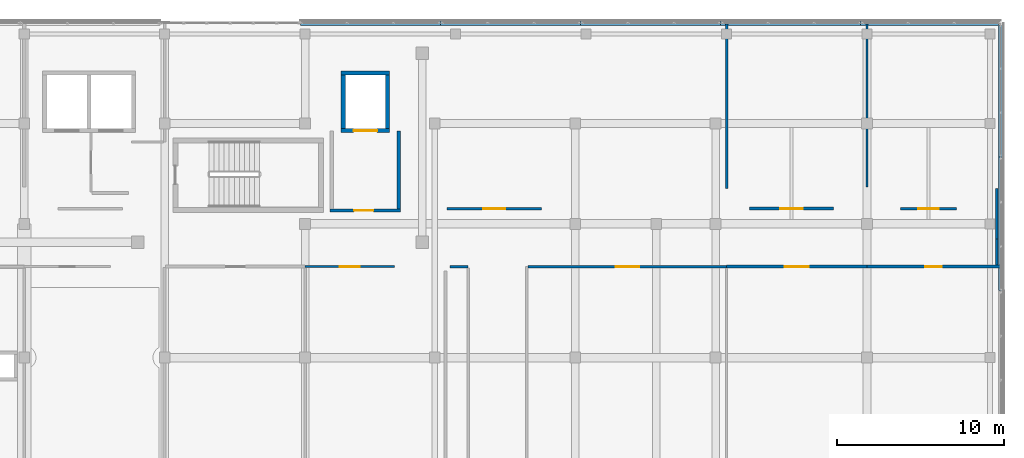
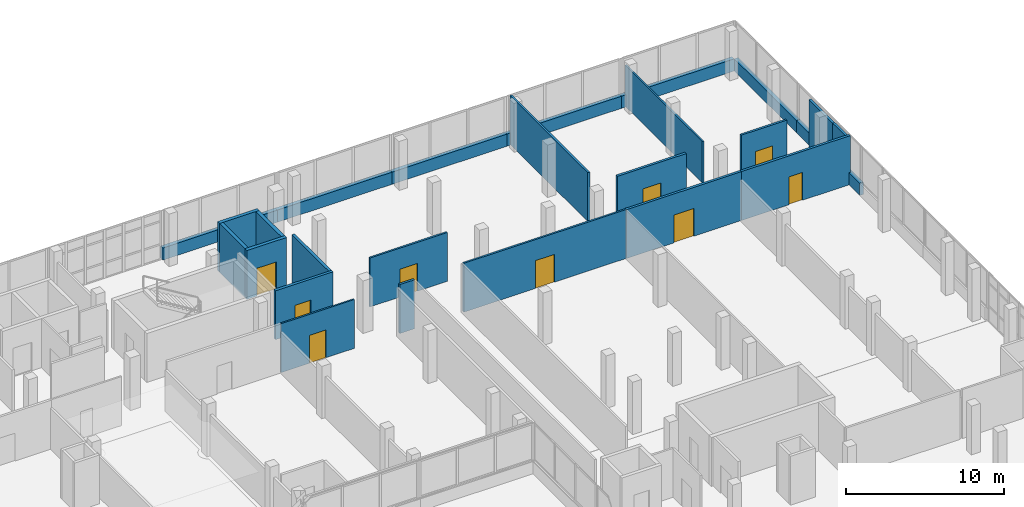
# One storey, part 71 of 78: 25 walls, 9 doors, 9 openings.
"""IFC4 building model written with IfcOpenShell, lengths in metres."""

from ifc_helpers import new_model, si_unit, direction, frame, frame_2d, origin, place, context, subcontext, project, spatial, rectangle, extrude, material, layer, layer_set, type_object, element, fill, save


model = new_model("IFC4")

# Units and contexts
model_context = context("Model", 3, precision=1e-05, world=origin(), true_north=direction((0.0, 1.0)))
body_context = subcontext(model_context, "Body", "Model", "MODEL_VIEW")
ifc_project = project(units=[si_unit("LENGTHUNIT", "METRE"), si_unit("AREAUNIT", "SQUARE_METRE"), si_unit("VOLUMEUNIT", "CUBIC_METRE"), si_unit("PLANEANGLEUNIT", "RADIAN"), si_unit("MASSUNIT", "GRAM", prefix="KILO")], contexts=[model_context])

# Site, building, storey
site_placement = place(None, origin())
site = spatial("IfcSite", under=ifc_project, at=site_placement, CompositionType="ELEMENT")
building_placement = place(site_placement, origin())
building = spatial("IfcBuilding", under=site, at=building_placement, Name="Selatvlak General Hospital", CompositionType="ELEMENT")
storey_placement = place(building_placement, frame((0.0, 0.0, 23.25)))
storey = spatial("IfcBuildingStorey", under=building, at=storey_placement, Name="L05", CompositionType="ELEMENT", Elevation=23.25)

# Walls
ifc_material_1 = material(Name="Precast concrete C40/50 - white Bauhaus spandrel", Category="concrete")
ifc_layer_1 = layer(ifc_material_1, 0.280029296875, Name="Precast concrete C40/50 - white Bauhaus spandrel", Category="concrete")
ifc_layer_set_1 = layer_set([ifc_layer_1], Name="Precast concrete C40/50 - white Bauhaus spandrel")
wall_type_1 = type_object("IfcWallType", Name="WALL-EW-02", PredefinedType="SOLIDWALL", material=ifc_layer_set_1)
wall_1_placement = place(storey_placement, frame((140.10693359375, 120.0, 0.0), z_axis=(0.0, 0.0, 1.0), x_axis=(1.0, 0.0, 0.0)))
element("IfcWall", 1, at=wall_1_placement, inside=storey, type_object=wall_type_1, Name="L05 Bauhaus spandrel sill wall 0490", PredefinedType="SOLIDWALL", context=body_context, shape_type="SweptSolid", body=[
    extrude(rectangle(XDim=8.3740234375, YDim=0.280029296875, at=frame_2d((4.18701171875, 0.0))), origin(), (0.0, 0.0, 1.0), 0.93994140625),
])
for number, where, z_axis, x_axis, name in (
    (2, (148.485107421875, 120.0, 0.0), (0.0, 0.0, 1.0), (1.0, 0.0, 0.0), "L05 Bauhaus spandrel sill wall 0491"),
    (3, (156.864013671875, 120.0, 0.0), (0.0, 0.0, 1.0), (1.0, 0.0, 0.0), "L05 Bauhaus spandrel sill wall 0492"),
    (4, (165.242919921875, 120.0, 0.0), (0.0, 0.0, 1.0), (1.0, 0.0, 0.0), "L05 Bauhaus spandrel sill wall 0493"),
):
    element("IfcWall", number, at=place(storey_placement, frame(where, z_axis=z_axis, x_axis=x_axis)), inside=storey, type_object=wall_type_1, Name=name, PredefinedType="SOLIDWALL", context=body_context, shape_type="SweptSolid", body=[
        extrude(rectangle(XDim=8.375, YDim=0.280029296875, at=frame_2d((4.1875, 0.0))), origin(), (0.0, 0.0, 1.0), 0.93994140625),
    ])
wall_2_placement = place(storey_placement, frame((173.6220703125, 120.0, 0.0), z_axis=(0.0, 0.0, 1.0), x_axis=(1.0, 0.0, 0.0)))
element("IfcWall", 5, at=wall_2_placement, inside=storey, type_object=wall_type_1, Name="L05 Bauhaus spandrel sill wall 0494", PredefinedType="SOLIDWALL", context=body_context, shape_type="SweptSolid", body=[
    extrude(rectangle(XDim=8.23681640625, YDim=0.280029296875, at=frame_2d((4.118408203125, 0.0))), origin(), (0.0, 0.0, 1.0), 0.93994140625),
])
wall_3_placement = place(storey_placement, frame((181.9990234375, 119.860107421875, 0.0), z_axis=(0.0, 0.0, 1.0), x_axis=(0.0, -1.0, 0.0)))
element("IfcWall", 6, at=wall_3_placement, inside=storey, type_object=wall_type_1, Name="L05 Bauhaus spandrel sill wall 0495", PredefinedType="SOLIDWALL", context=body_context, shape_type="SweptSolid", body=[
    extrude(rectangle(XDim=7.858154296875, YDim=0.280029296875, at=frame_2d((3.92919921875, 0.0))), origin(), (0.0, 0.0, 1.0), 0.93994140625),
])
wall_4_placement = place(storey_placement, frame((181.9990234375, 111.998046875, 0.0), z_axis=(0.0, 0.0, 1.0), x_axis=(0.000122144863, -0.99999999254, 0.0)))
element("IfcWall", 7, at=wall_4_placement, inside=storey, type_object=wall_type_1, Name="L05 Bauhaus spandrel sill wall 0496", PredefinedType="SOLIDWALL", context=body_context, shape_type="SweptSolid", body=[
    extrude(rectangle(XDim=7.9951171875, YDim=0.280029296875, at=frame_2d((3.99755859375, 0.0))), origin(), (0.0, 0.0, 1.0), 0.93994140625),
])

# Wall, opening, door
ifc_material_2 = material(Name="Concrete C40/50", Category="concrete")
ifc_layer_2 = layer(ifc_material_2, 0.199951171875, Name="Concrete C40/50", Category="concrete")
ifc_layer_set_2 = layer_set([ifc_layer_2], Name="Concrete C40/50")
wall_type_2 = type_object("IfcWallType", Name="WALL-IW-02", PredefinedType="SOLIDWALL", material=ifc_layer_set_2)
wall_5_placement = place(storey_placement, frame((141.89990234375, 108.800048828125, 0.0), z_axis=(0.0, 0.0, 1.0), x_axis=(1.0, 0.0, 0.0)))
wall_5 = element("IfcWall", 8, at=wall_5_placement, inside=storey, type_object=wall_type_2, Name="Firefighting lobby C4 wall L05 S", PredefinedType="SOLIDWALL", context=body_context, shape_type="SweptSolid", body=[
    extrude(rectangle(XDim=4.2001953125, YDim=0.199951171875, at=frame_2d((2.10009765625, 0.0))), origin(), (0.0, 0.0, 1.0), 3.77490234375),
])
opening_1_placement = place(wall_5_placement, frame((1.425048828125, 0.0, 0.0)))
opening_1 = element("IfcOpeningElement", 9, at=opening_1_placement, cuts=wall_5, Name="Opening D-06", PredefinedType="OPENING", context=body_context, shape_type="SweptSolid", body=[
    extrude(rectangle(XDim=1.14990234375, YDim=2.14990234375, at=frame_2d((0.574951171875, 1.074951171875))), frame((0.0, 0.10986328125, 0.0), z_axis=(0.0, -1.0, 0.0), x_axis=(1.0, 0.0, 0.0)), (0.0, 0.0, 1.0), 0.219970703125),
])
ifc_material_3 = material(Name="Firefighting lobby fire door")
door_type_1 = type_object("IfcDoorType", Name="DOOR-D-06", OperationType="NOTDEFINED", PredefinedType="DOOR", material=ifc_material_3)
door_1_placement = place(opening_1_placement, origin())
door_1 = element("IfcDoor", 10, at=door_1_placement, inside=storey, type_object=door_type_1, Name="Firefighting lobby C4 door on L05", OperationType="SINGLE_SWING_LEFT", OverallHeight=2.14990234375, OverallWidth=1.14990234375, PredefinedType="DOOR", context=body_context, shape_type="SweptSolid", body=[
    extrude(rectangle(XDim=1.14990234375, YDim=2.14990234375, at=frame_2d((0.574951171875, 1.074951171875))), frame((0.0, 0.02490234375, 0.0), z_axis=(0.0, -1.0, 0.0), x_axis=(1.0, 0.0, 0.0)), (0.0, 0.0, 1.0), 0.050048828125),
])
fill(opening_1, door_1)

# Wall
wall_6_placement = place(storey_placement, frame((146.0, 108.89990234375, 0.0), z_axis=(0.0, 0.0, 1.0), x_axis=(0.0, 1.0, 0.0)))
element("IfcWall", 11, at=wall_6_placement, inside=storey, type_object=wall_type_2, Name="Firefighting lobby C4 wall L05 E", PredefinedType="SOLIDWALL", context=body_context, shape_type="SweptSolid", body=[
    extrude(rectangle(XDim=4.650146484375, YDim=0.199951171875, at=frame_2d((2.3251953125, 0.0))), origin(), (0.0, 0.0, 1.0), 3.77490234375),
])

# Wall, opening, door
ifc_material_4 = material(Name="Acoustic gypsum stud partition")
ifc_layer_3 = layer(ifc_material_4, 0.179931640625, Name="Acoustic gypsum stud partition")
ifc_layer_set_3 = layer_set([ifc_layer_3], Name="Acoustic gypsum stud partition")
wall_type_3 = type_object("IfcWallType", Name="WALL-PT-01", PredefinedType="PARTITIONING", material=ifc_layer_set_3)
wall_7_placement = place(storey_placement, frame((165.60009765625, 105.43994140625, 0.0), z_axis=(0.0, 0.0, 1.0), x_axis=(1.0, 0.0, 0.0)))
wall_7 = element("IfcWall", 12, at=wall_7_placement, inside=storey, type_object=wall_type_3, Name="L05 clinical partition PT-L05-1905", PredefinedType="PARTITIONING", context=body_context, shape_type="SweptSolid", body=[
    extrude(rectangle(XDim=8.39990234375, YDim=0.179931640625, at=frame_2d((4.199951171875, 0.0))), origin(), (0.0, 0.0, 1.0), 3.77490234375),
])
opening_2_placement = place(wall_7_placement, frame((3.47509765625, 0.0, 0.0)))
opening_2 = element("IfcOpeningElement", 13, at=opening_2_placement, cuts=wall_7, Name="Opening D-12", PredefinedType="OPENING", context=body_context, shape_type="SweptSolid", body=[
    extrude(rectangle(XDim=1.449951171875, YDim=2.14990234375, at=frame_2d((0.72509765625, 1.074951171875))), frame((0.0, 0.099853515625, 0.0), z_axis=(0.0, -1.0, 0.0), x_axis=(1.0, 0.0, 0.0)), (0.0, 0.0, 1.0), 0.199951171875),
])
ifc_material_5 = material(Name="Isolation anteroom door")
door_type_2 = type_object("IfcDoorType", Name="DOOR-D-12", OperationType="NOTDEFINED", PredefinedType="DOOR", material=ifc_material_5)
door_2_placement = place(opening_2_placement, origin())
door_2 = element("IfcDoor", 14, at=door_2_placement, inside=storey, type_object=door_type_2, Name="L05 Outpatient Specialist Waiting Concourse 18 door", OperationType="SINGLE_SWING_RIGHT", OverallHeight=2.14990234375, OverallWidth=1.449951171875, PredefinedType="DOOR", context=body_context, shape_type="SweptSolid", body=[
    extrude(rectangle(XDim=1.449951171875, YDim=2.14990234375, at=frame_2d((0.72509765625, 1.074951171875))), frame((0.0, 0.02490234375, 0.0), z_axis=(0.0, -1.0, 0.0), x_axis=(1.0, 0.0, 0.0)), (0.0, 0.0, 1.0), 0.050048828125),
])
fill(opening_2, door_2)

wall_8_placement = place(storey_placement, frame((174.0, 105.43994140625, 0.0), z_axis=(0.0, 0.0, 1.0), x_axis=(1.0, 0.0, 0.0)))
wall_8 = element("IfcWall", 15, at=wall_8_placement, inside=storey, type_object=wall_type_3, Name="L05 clinical partition PT-L05-1911", PredefinedType="PARTITIONING", context=body_context, shape_type="SweptSolid", body=[
    extrude(rectangle(XDim=7.9580078125, YDim=0.179931640625, at=frame_2d((3.97900390625, 0.0))), origin(), (0.0, 0.0, 1.0), 3.77490234375),
])
opening_3_placement = place(wall_8_placement, frame((3.47900390625, 0.0, 0.0)))
opening_3 = element("IfcOpeningElement", 16, at=opening_3_placement, cuts=wall_8, Name="Opening D-21", PredefinedType="OPENING", context=body_context, shape_type="SweptSolid", body=[
    extrude(rectangle(XDim=1.0, YDim=2.14990234375, at=frame_2d((0.5, 1.074951171875))), frame((0.0, 0.099853515625, 0.0), z_axis=(0.0, -1.0, 0.0), x_axis=(1.0, 0.0, 0.0)), (0.0, 0.0, 1.0), 0.199951171875),
])
ifc_material_6 = material(Name="Laboratory fire door")
door_type_3 = type_object("IfcDoorType", Name="DOOR-D-21", OperationType="NOTDEFINED", PredefinedType="DOOR", material=ifc_material_6)
door_3_placement = place(opening_3_placement, origin())
door_3 = element("IfcDoor", 17, at=door_3_placement, inside=storey, type_object=door_type_3, Name="L05 Single Patient Room 19 door", OperationType="SINGLE_SWING_LEFT", OverallHeight=2.14990234375, OverallWidth=1.0, PredefinedType="DOOR", context=body_context, shape_type="SweptSolid", body=[
    extrude(rectangle(XDim=1.0, YDim=2.14990234375, at=frame_2d((0.5, 1.074951171875))), frame((0.0, 0.02490234375, 0.0), z_axis=(0.0, -1.0, 0.0), x_axis=(1.0, 0.0, 0.0)), (0.0, 0.0, 1.0), 0.050048828125),
])
fill(opening_3, door_3)

wall_9_placement = place(storey_placement, frame((171.989013671875, 108.909912109375, 0.0), z_axis=(0.0, 0.0, 1.0), x_axis=(-1.0, 0.0, 0.0)))
wall_9 = element("IfcWall", 18, at=wall_9_placement, inside=storey, type_object=wall_type_3, Name="L05 clinical partition PT-L05-1955", PredefinedType="PARTITIONING", context=body_context, shape_type="SweptSolid", body=[
    extrude(rectangle(XDim=5.028076171875, YDim=0.179931640625, at=frame_2d((2.51416015625, 0.0))), origin(), (0.0, 0.0, 1.0), 3.77490234375),
])
opening_4_placement = place(wall_9_placement, frame((1.839111328125, 0.0, 0.0)))
opening_4 = element("IfcOpeningElement", 19, at=opening_4_placement, cuts=wall_9, Name="Opening D-10", PredefinedType="OPENING", context=body_context, shape_type="SweptSolid", body=[
    extrude(rectangle(XDim=1.35009765625, YDim=2.14990234375, at=frame_2d((0.675048828125, 1.074951171875))), frame((0.0, 0.099853515625, 0.0), z_axis=(0.0, -1.0, 0.0), x_axis=(1.0, 0.0, 0.0)), (0.0, 0.0, 1.0), 0.199951171875),
])
ifc_material_7 = material(Name="Single patient bed door")
door_type_4 = type_object("IfcDoorType", Name="DOOR-D-10", OperationType="NOTDEFINED", PredefinedType="DOOR", material=ifc_material_7)
door_4_placement = place(opening_4_placement, origin())
door_4 = element("IfcDoor", 20, at=door_4_placement, inside=storey, type_object=door_type_4, Name="L05 Ward Clinical Pharmacy Room 34 door", OperationType="SINGLE_SWING_RIGHT", OverallHeight=2.14990234375, OverallWidth=1.35009765625, PredefinedType="DOOR", context=body_context, shape_type="SweptSolid", body=[
    extrude(rectangle(XDim=1.35009765625, YDim=2.14990234375, at=frame_2d((0.675048828125, 1.074951171875))), frame((0.0, 0.02490234375, 0.0), z_axis=(0.0, -1.0, 0.0), x_axis=(1.0, 0.0, 0.0)), (0.0, 0.0, 1.0), 0.050048828125),
])
fill(opening_4, door_4)

# Walls
ifc_layer_4 = layer(ifc_material_4, 0.1650390625, Name="Acoustic gypsum stud partition")
ifc_layer_set_4 = layer_set([ifc_layer_4], Name="Acoustic gypsum stud partition")
wall_type_4 = type_object("IfcWallType", Name="WALL-PT-02", PredefinedType="PARTITIONING", material=ifc_layer_set_4)
wall_10_placement = place(storey_placement, frame((149.055908203125, 105.43994140625, 0.0), z_axis=(0.0, 0.0, 1.0), x_axis=(1.0, 0.0, 0.0)))
element("IfcWall", 21, at=wall_10_placement, inside=storey, type_object=wall_type_4, Name="L05 clinical partition PT-L05-1896", PredefinedType="PARTITIONING", context=body_context, shape_type="SweptSolid", body=[
    extrude(rectangle(XDim=1.083984375, YDim=0.1650390625, at=frame_2d((0.5419921875, 0.0))), origin(), (0.0, 0.0, 1.0), 3.77490234375),
])
wall_11_placement = place(storey_placement, frame((181.760009765625, 105.52587890625, 0.0), z_axis=(0.0, 0.0, 1.0), x_axis=(0.0, 1.0, 0.0)))
element("IfcWall", 22, at=wall_11_placement, inside=storey, type_object=wall_type_4, Name="L05 clinical partition PT-L05-1912", PredefinedType="PARTITIONING", context=body_context, shape_type="SweptSolid", body=[
    extrude(rectangle(XDim=1.57421875, YDim=0.1650390625, at=frame_2d((0.787109375, 0.0))), origin(), (0.0, 0.0, 1.0), 3.77490234375),
])
wall_12_placement = place(storey_placement, frame((181.760009765625, 107.10009765625, 0.0), z_axis=(0.0, 0.0, 1.0), x_axis=(0.0, 1.0, 0.0)))
element("IfcWall", 23, at=wall_12_placement, inside=storey, type_object=wall_type_4, Name="L05 clinical partition PT-L05-1956", PredefinedType="PARTITIONING", context=body_context, shape_type="SweptSolid", body=[
    extrude(rectangle(XDim=3.018798828125, YDim=0.1650390625, at=frame_2d((1.50927734375, 0.0))), origin(), (0.0, 0.0, 1.0), 3.77490234375),
])
ifc_layer_5 = layer(ifc_material_4, 0.14990234375, Name="Acoustic gypsum stud partition")
ifc_layer_set_5 = layer_set([ifc_layer_5], Name="Acoustic gypsum stud partition")
wall_type_5 = type_object("IfcWallType", Name="WALL-PT-03", PredefinedType="PARTITIONING", material=ifc_layer_set_5)
wall_13_placement = place(storey_placement, frame((165.60009765625, 119.9580078125, 0.0), z_axis=(0.0, 0.0, 1.0), x_axis=(0.0, -1.0, 0.0)))
element("IfcWall", 24, at=wall_13_placement, inside=storey, type_object=wall_type_5, Name="L05 clinical partition PT-L05-1952", PredefinedType="PARTITIONING", context=body_context, shape_type="SweptSolid", body=[
    extrude(rectangle(XDim=9.845947265625, YDim=0.14990234375, at=frame_2d((4.9228515625, 0.0))), origin(), (0.0, 0.0, 1.0), 3.77490234375),
])

# Wall, opening, door
wall_14_placement = place(storey_placement, frame((179.339111328125, 108.909912109375, 0.0), z_axis=(0.0, 0.0, 1.0), x_axis=(-1.0, 0.0, 0.0)))
wall_14 = element("IfcWall", 25, at=wall_14_placement, inside=storey, type_object=wall_type_5, Name="L05 clinical partition PT-L05-1957", PredefinedType="PARTITIONING", context=body_context, shape_type="SweptSolid", body=[
    extrude(rectangle(XDim=3.328125, YDim=0.14990234375, at=frame_2d((1.6640625, 0.0))), origin(), (0.0, 0.0, 1.0), 3.77490234375),
])
opening_5_placement = place(wall_14_placement, frame((1.0390625, 0.0, 0.0)))
opening_5 = element("IfcOpeningElement", 26, at=opening_5_placement, cuts=wall_14, Name="Opening D-08", PredefinedType="OPENING", context=body_context, shape_type="SweptSolid", body=[
    extrude(rectangle(XDim=1.25, YDim=2.14990234375, at=frame_2d((0.625, 1.074951171875))), frame((0.0, 0.0849609375, 0.0), z_axis=(0.0, -1.0, 0.0), x_axis=(1.0, 0.0, 0.0)), (0.0, 0.0, 1.0), 0.169921875),
])
ifc_material_8 = material(Name="Diagnostic treatment door")
door_type_5 = type_object("IfcDoorType", Name="DOOR-D-08", OperationType="NOTDEFINED", PredefinedType="DOOR", material=ifc_material_8)
door_5_placement = place(opening_5_placement, origin())
door_5 = element("IfcDoor", 27, at=door_5_placement, inside=storey, type_object=door_type_5, Name="L05 Inpatient Rehabilitation Dayroom 35 door", OperationType="SINGLE_SWING_LEFT", OverallHeight=2.14990234375, OverallWidth=1.25, PredefinedType="DOOR", context=body_context, shape_type="SweptSolid", body=[
    extrude(rectangle(XDim=1.25, YDim=2.14990234375, at=frame_2d((0.625, 1.074951171875))), frame((0.0, 0.02490234375, 0.0), z_axis=(0.0, -1.0, 0.0), x_axis=(1.0, 0.0, 0.0)), (0.0, 0.0, 1.0), 0.050048828125),
])
fill(opening_5, door_5)

ifc_material_9 = material(Name="Moisture-resistant clinical partition")
ifc_layer_6 = layer(ifc_material_9, 0.135009765625, Name="Moisture-resistant clinical partition")
ifc_layer_set_6 = layer_set([ifc_layer_6], Name="Moisture-resistant clinical partition")
wall_type_6 = type_object("IfcWallType", Name="WALL-PT-04", PredefinedType="PARTITIONING", material=ifc_layer_set_6)
wall_15_placement = place(storey_placement, frame((153.73095703125, 105.43994140625, 0.0), z_axis=(0.0, 0.0, 1.0), x_axis=(1.0, 0.0, 0.0)))
wall_15 = element("IfcWall", 28, at=wall_15_placement, inside=storey, type_object=wall_type_6, Name="L05 clinical partition PT-L05-1903", PredefinedType="PARTITIONING", context=body_context, shape_type="SweptSolid", body=[
    extrude(rectangle(XDim=11.869140625, YDim=0.135009765625, at=frame_2d((5.9345703125, 0.0))), origin(), (0.0, 0.0, 1.0), 3.77490234375),
])
opening_6_placement = place(wall_15_placement, frame((5.23388671875, 0.0, 0.0)))
opening_6 = element("IfcOpeningElement", 29, at=opening_6_placement, cuts=wall_15, Name="Opening D-11", PredefinedType="OPENING", context=body_context, shape_type="SweptSolid", body=[
    extrude(rectangle(XDim=1.39990234375, YDim=2.14990234375, at=frame_2d((0.699951171875, 1.074951171875))), frame((0.0, 0.077392578125, 0.0), z_axis=(0.0, -1.0, 0.0), x_axis=(1.0, 0.0, 0.0)), (0.0, 0.0, 1.0), 0.155029296875),
])
ifc_material_10 = material(Name="Inpatient suite bed door")
door_type_6 = type_object("IfcDoorType", Name="DOOR-D-11", OperationType="NOTDEFINED", PredefinedType="DOOR", material=ifc_material_10)
door_6_placement = place(opening_6_placement, origin())
door_6 = element("IfcDoor", 30, at=door_6_placement, inside=storey, type_object=door_type_6, Name="L05 Inpatient Rehabilitation Dayroom 17 door", OperationType="SINGLE_SWING_LEFT", OverallHeight=2.14990234375, OverallWidth=1.39990234375, PredefinedType="DOOR", context=body_context, shape_type="SweptSolid", body=[
    extrude(rectangle(XDim=1.39990234375, YDim=2.14990234375, at=frame_2d((0.699951171875, 1.074951171875))), frame((0.0, 0.02490234375, 0.0), z_axis=(0.0, -1.0, 0.0), x_axis=(1.0, 0.0, 0.0)), (0.0, 0.0, 1.0), 0.050048828125),
])
fill(opening_6, door_6)

wall_16_placement = place(storey_placement, frame((154.5390625, 108.909912109375, 0.0), z_axis=(0.0, 0.0, 1.0), x_axis=(-1.0, 0.0, 0.0)))
wall_16 = element("IfcWall", 31, at=wall_16_placement, inside=storey, type_object=wall_type_6, Name="L05 clinical partition PT-L05-1953", PredefinedType="PARTITIONING", context=body_context, shape_type="SweptSolid", body=[
    extrude(rectangle(XDim=5.66015625, YDim=0.135009765625, at=frame_2d((2.830078125, 0.0))), origin(), (0.0, 0.0, 1.0), 3.77490234375),
])
opening_7_placement = place(wall_16_placement, frame((2.179931640625, 0.0, 0.0)))
opening_7 = element("IfcOpeningElement", 32, at=opening_7_placement, cuts=wall_16, Name="Opening D-09", PredefinedType="OPENING", context=body_context, shape_type="SweptSolid", body=[
    extrude(rectangle(XDim=1.300048828125, YDim=2.14990234375, at=frame_2d((0.64990234375, 1.074951171875))), frame((0.0, 0.077392578125, 0.0), z_axis=(0.0, -1.0, 0.0), x_axis=(1.0, 0.0, 0.0)), (0.0, 0.0, 1.0), 0.155029296875),
])
ifc_material_11 = material(Name="Outpatient procedure door")
door_type_7 = type_object("IfcDoorType", Name="DOOR-D-09", OperationType="NOTDEFINED", PredefinedType="DOOR", material=ifc_material_11)
door_7_placement = place(opening_7_placement, origin())
door_7 = element("IfcDoor", 33, at=door_7_placement, inside=storey, type_object=door_type_7, Name="L05 Surgical Step-Down Ward Bay 33 door", OperationType="SINGLE_SWING_LEFT", OverallHeight=2.14990234375, OverallWidth=1.300048828125, PredefinedType="DOOR", context=body_context, shape_type="SweptSolid", body=[
    extrude(rectangle(XDim=1.300048828125, YDim=2.14990234375, at=frame_2d((0.64990234375, 1.074951171875))), frame((0.0, 0.02490234375, 0.0), z_axis=(0.0, -1.0, 0.0), x_axis=(1.0, 0.0, 0.0)), (0.0, 0.0, 1.0), 0.050048828125),
])
fill(opening_7, door_7)

ifc_layer_7 = layer(ifc_material_9, 0.1201171875, Name="Moisture-resistant clinical partition")
ifc_layer_set_7 = layer_set([ifc_layer_7], Name="Moisture-resistant clinical partition")
wall_type_7 = type_object("IfcWallType", Name="WALL-PT-05", PredefinedType="PARTITIONING", material=ifc_layer_set_7)
wall_17_placement = place(storey_placement, frame((140.39990234375, 105.43994140625, 0.0), z_axis=(0.0, 0.0, 1.0), x_axis=(1.0, 0.0, 0.0)))
wall_17 = element("IfcWall", 34, at=wall_17_placement, inside=storey, type_object=wall_type_7, Name="L05 clinical partition PT-L05-1894", PredefinedType="PARTITIONING", context=body_context, shape_type="SweptSolid", body=[
    extrude(rectangle(XDim=5.343994140625, YDim=0.1201171875, at=frame_2d((2.671875, 0.0))), origin(), (0.0, 0.0, 1.0), 3.77490234375),
])
opening_8_placement = place(wall_17_placement, frame((2.072021484375, 0.0, 0.0)))
opening_8 = element("IfcOpeningElement", 35, at=opening_8_placement, cuts=wall_17, Name="Opening D-23", PredefinedType="OPENING", context=body_context, shape_type="SweptSolid", body=[
    extrude(rectangle(XDim=1.199951171875, YDim=2.14990234375, at=frame_2d((0.60009765625, 1.074951171875))), frame((0.0, 0.070068359375, 0.0), z_axis=(0.0, -1.0, 0.0), x_axis=(1.0, 0.0, 0.0)), (0.0, 0.0, 1.0), 0.14013671875),
])
ifc_material_12 = material(Name="Endoscopy clinical door")
door_type_8 = type_object("IfcDoorType", Name="DOOR-D-23", OperationType="NOTDEFINED", PredefinedType="DOOR", material=ifc_material_12)
door_8_placement = place(opening_8_placement, origin())
door_8 = element("IfcDoor", 36, at=door_8_placement, inside=storey, type_object=door_type_8, Name="L05 Acute General Medicine Ward Bay 14 door", OperationType="SINGLE_SWING_RIGHT", OverallHeight=2.14990234375, OverallWidth=1.199951171875, PredefinedType="DOOR", context=body_context, shape_type="SweptSolid", body=[
    extrude(rectangle(XDim=1.199951171875, YDim=2.14990234375, at=frame_2d((0.60009765625, 1.074951171875))), frame((0.0, 0.02490234375, 0.0), z_axis=(0.0, -1.0, 0.0), x_axis=(1.0, 0.0, 0.0)), (0.0, 0.0, 1.0), 0.050048828125),
])
fill(opening_8, door_8)

# Wall
wall_18_placement = place(storey_placement, frame((174.0, 119.9580078125, 0.0), z_axis=(0.0, 0.0, 1.0), x_axis=(0.0, -1.0, 0.0)))
element("IfcWall", 37, at=wall_18_placement, inside=storey, type_object=wall_type_7, Name="L05 clinical partition PT-L05-1954", PredefinedType="PARTITIONING", context=body_context, shape_type="SweptSolid", body=[
    extrude(rectangle(XDim=9.748046875, YDim=0.1201171875, at=frame_2d((4.8740234375, 0.0))), origin(), (0.0, 0.0, 1.0), 3.175048828125),
])

# Wall, opening, door
ifc_layer_8 = layer(ifc_material_2, 0.25, Name="Concrete C40/50", Category="concrete")
ifc_layer_set_8 = layer_set([ifc_layer_8], Name="Concrete C40/50")
wall_type_8 = type_object("IfcWallType", Name="WALL-SW-03", PredefinedType="SHEAR", material=ifc_layer_set_8)
wall_19_placement = place(storey_placement, frame((142.550048828125, 113.574951171875, 0.0), z_axis=(0.0, 0.0, 1.0), x_axis=(1.0, 0.0, 0.0)))
wall_19 = element("IfcWall", 38, at=wall_19_placement, inside=storey, type_object=wall_type_8, Name="Lift LF-03 shaft wall L05 S", PredefinedType="SHEAR", context=body_context, shape_type="SweptSolid", body=[
    extrude(rectangle(XDim=2.89990234375, YDim=0.25, at=frame_2d((1.449951171875, 0.0))), origin(), (0.0, 0.0, 1.0), 3.77490234375),
])
opening_9_placement = place(wall_19_placement, frame((0.75, 0.0, 0.0)))
opening_9 = element("IfcOpeningElement", 39, at=opening_9_placement, cuts=wall_19, Name="Opening LD-F1", PredefinedType="OPENING", context=body_context, shape_type="SweptSolid", body=[
    extrude(rectangle(XDim=1.39990234375, YDim=2.14990234375, at=frame_2d((0.699951171875, 1.074951171875))), frame((0.0, 0.135009765625, 0.0), z_axis=(0.0, -1.0, 0.0), x_axis=(1.0, 0.0, 0.0)), (0.0, 0.0, 1.0), 0.27001953125),
])
ifc_material_13 = material(Name="Stainless steel fire lift landing door", Category="steel")
door_type_9 = type_object("IfcDoorType", Name="DOOR-LD-F1", OperationType="DOUBLE_DOOR_SLIDING", PredefinedType="DOOR", material=ifc_material_13)
door_9_placement = place(opening_9_placement, origin())
door_9 = element("IfcDoor", 40, at=door_9_placement, inside=storey, type_object=door_type_9, Name="Lift LF-03 sliding landing door on L05", OperationType="DOUBLE_DOOR_SLIDING", OverallHeight=2.14990234375, OverallWidth=1.39990234375, PredefinedType="DOOR", context=body_context, shape_type="SweptSolid", body=[
    extrude(rectangle(XDim=1.39990234375, YDim=2.14990234375, at=frame_2d((0.699951171875, 1.074951171875))), frame((0.0, 0.02490234375, 0.0), z_axis=(0.0, -1.0, 0.0), x_axis=(1.0, 0.0, 0.0)), (0.0, 0.0, 1.0), 0.050048828125),
])
fill(opening_9, door_9)

# Walls
wall_20_placement = place(storey_placement, frame((145.324951171875, 113.699951171875, 0.0), z_axis=(0.0, 0.0, 1.0), x_axis=(0.0, 1.0, 0.0)))
element("IfcWall", 41, at=wall_20_placement, inside=storey, type_object=wall_type_8, Name="Lift LF-03 shaft wall L05 E", PredefinedType="SHEAR", context=body_context, shape_type="SweptSolid", body=[
    extrude(rectangle(XDim=3.199951171875, YDim=0.25, at=frame_2d((1.60009765625, 0.0))), origin(), (0.0, 0.0, 1.0), 3.77490234375),
])
wall_21_placement = place(storey_placement, frame((145.449951171875, 117.02490234375, 0.0), z_axis=(0.0, 0.0, 1.0), x_axis=(-1.0, 0.0, 0.0)))
element("IfcWall", 42, at=wall_21_placement, inside=storey, type_object=wall_type_8, Name="Lift LF-03 shaft wall L05 N", PredefinedType="SHEAR", context=body_context, shape_type="SweptSolid", body=[
    extrude(rectangle(XDim=2.89990234375, YDim=0.25, at=frame_2d((1.449951171875, 0.0))), origin(), (0.0, 0.0, 1.0), 3.77490234375),
])
wall_22_placement = place(storey_placement, frame((142.675048828125, 116.89990234375, 0.0), z_axis=(0.0, 0.0, 1.0), x_axis=(0.0, -1.0, 0.0)))
element("IfcWall", 43, at=wall_22_placement, inside=storey, type_object=wall_type_8, Name="Lift LF-03 shaft wall L05 W", PredefinedType="SHEAR", context=body_context, shape_type="SweptSolid", body=[
    extrude(rectangle(XDim=3.199951171875, YDim=0.25, at=frame_2d((1.60009765625, 0.0))), origin(), (0.0, 0.0, 1.0), 3.77490234375),
])

save(model, "model.ifc")
